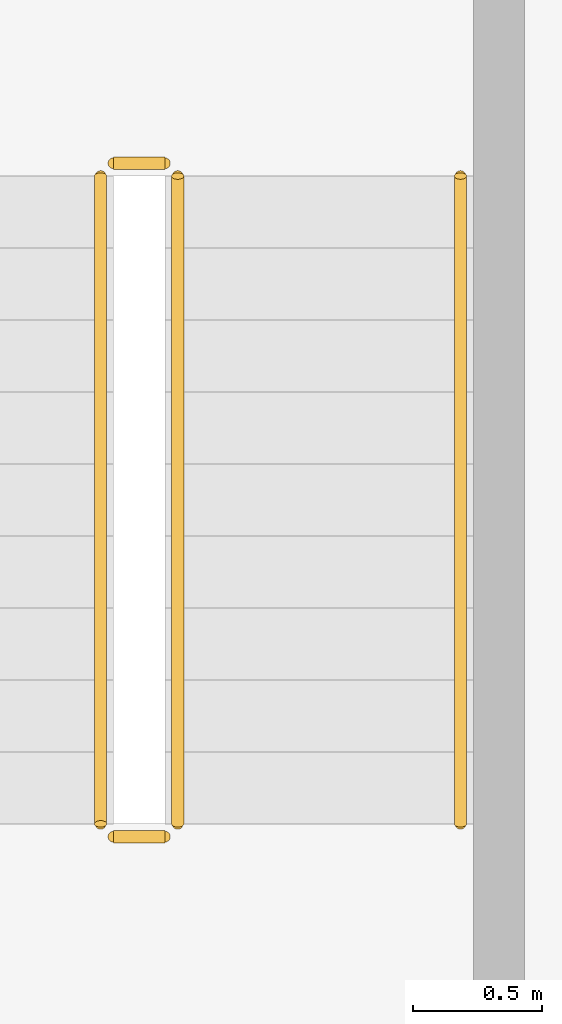
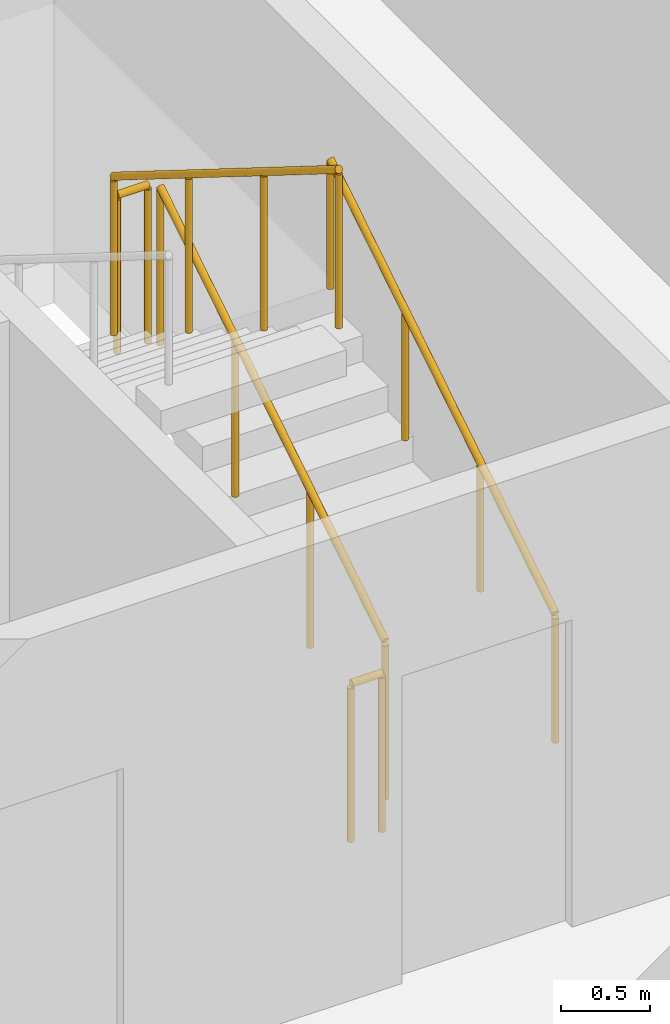
# One storey, part 14 of 18: 5 railings.
"""IFC4 building model written with IfcOpenShell, lengths in metres."""

from ifc_helpers import new_model, si_unit, direction, frame, origin, origin_2d, place, context, subcontext, project, spatial, circle, extrude, material, type_object, element, save


model = new_model("IFC4")

# Units and contexts
model_context = context("Model", 3, precision=1e-05, world=origin(), true_north=direction((0.0, 1.0)))
body_context = subcontext(model_context, "Body", "Model", "MODEL_VIEW")
ifc_project = project(units=[si_unit("LENGTHUNIT", "METRE"), si_unit("AREAUNIT", "SQUARE_METRE"), si_unit("VOLUMEUNIT", "CUBIC_METRE"), si_unit("PLANEANGLEUNIT", "RADIAN"), si_unit("MASSUNIT", "GRAM", prefix="KILO")], contexts=[model_context])

# Site, building, storey
site_placement = place(None, origin())
site = spatial("IfcSite", under=ifc_project, at=site_placement, CompositionType="ELEMENT")
building_placement = place(site_placement, origin())
building = spatial("IfcBuilding", under=site, at=building_placement, Name="Kiln Ring Residences", CompositionType="ELEMENT")
storey_placement = place(building_placement, frame((0.0, 0.0, 136.10009765625)))
storey = spatial("IfcBuildingStorey", under=building, at=storey_placement, Name="L34", CompositionType="ELEMENT", Elevation=136.10009765625)

# Railings
ifc_material_1 = material(Name="Stainless steel", Category="steel")
railing_type_1 = type_object("IfcRailingType", Name="CORE-STAIR-GUARD", PredefinedType="GUARDRAIL", material=ifc_material_1)
railing_1_placement = place(storey_placement, frame((22.25, -8.39990234375, 0.1748046875)))
element("IfcRailing", 1, at=railing_1_placement, inside=storey, type_object=railing_type_1, Name="L34 E-STS stair guard 1", PredefinedType="GUARDRAIL", context=body_context, shape_type="SweptSolid", body=[
    extrude(circle(Radius=0.02392578125, at=origin_2d()), frame((0.0, 0.0, 1.076171875), z_axis=(0.0, 0.847970611238, 0.530043245855), x_axis=(-1.0, 0.0, 0.0)), (0.0, 0.0, 1.0), 2.971923828125),
    extrude(circle(Radius=0.02099609375, at=origin_2d()), origin(), (0.0, 0.0, 1.0), 1.052001953125),
    extrude(circle(Radius=0.02099609375, at=origin_2d()), frame((0.0, 0.840087890625, 0.525146484375)), (0.0, 0.0, 1.0), 1.052001953125),
    extrude(circle(Radius=0.02099609375, at=origin_2d()), frame((0.0, 1.679931640625, 1.050048828125)), (0.0, 0.0, 1.0), 1.052001953125),
    extrude(circle(Radius=0.02099609375, at=origin_2d()), frame((0.0, 2.52001953125, 1.5751953125)), (0.0, 0.0, 1.0), 1.052001953125),
])
railing_2_placement = place(storey_placement, frame((22.199951171875, -5.830078125, 1.75)))
element("IfcRailing", 2, at=railing_2_placement, inside=storey, type_object=railing_type_1, Name="L34 E-STS stair guard 2", PredefinedType="GUARDRAIL", context=body_context, shape_type="SweptSolid", body=[
    extrude(circle(Radius=0.02392578125, at=origin_2d()), frame((0.0, 0.0, 1.076171875), z_axis=(-1.0, 0.0, 0.0), x_axis=(0.0, -1.0, 0.0)), (0.0, 0.0, 1.0), 0.199951171875),
    extrude(circle(Radius=0.02099609375, at=origin_2d()), origin(), (0.0, 0.0, 1.0), 1.052001953125),
    extrude(circle(Radius=0.02099609375, at=origin_2d()), frame((-0.199951171875, 0.0, 0.0)), (0.0, 0.0, 1.0), 1.052001953125),
])
railing_3_placement = place(storey_placement, frame((21.949951171875, -5.8798828125, 1.9248046875)))
element("IfcRailing", 3, at=railing_3_placement, inside=storey, type_object=railing_type_1, Name="L34 E-STS stair guard 3", PredefinedType="GUARDRAIL", context=body_context, shape_type="SweptSolid", body=[
    extrude(circle(Radius=0.02392578125, at=origin_2d()), frame((0.0, 0.0, 1.076171875), z_axis=(0.0, -0.847970611238, 0.530043245855), x_axis=(1.0, 0.0, 0.0)), (0.0, 0.0, 1.0), 2.971923828125),
    extrude(circle(Radius=0.02099609375, at=origin_2d()), origin(), (0.0, 0.0, 1.0), 1.052001953125),
    extrude(circle(Radius=0.02099609375, at=origin_2d()), frame((0.0, -0.840087890625, 0.525146484375)), (0.0, 0.0, 1.0), 1.052001953125),
    extrude(circle(Radius=0.02099609375, at=origin_2d()), frame((0.0, -1.679931640625, 1.050048828125)), (0.0, 0.0, 1.0), 1.052001953125),
    extrude(circle(Radius=0.02099609375, at=origin_2d()), frame((0.0, -2.52001953125, 1.5751953125)), (0.0, 0.0, 1.0), 1.052001953125),
])
railing_4_placement = place(storey_placement, frame((22.199951171875, -8.449951171875, 0.0)))
element("IfcRailing", 4, at=railing_4_placement, inside=storey, type_object=railing_type_1, Name="L34 E-STS stair guard 4", PredefinedType="GUARDRAIL", context=body_context, shape_type="SweptSolid", body=[
    extrude(circle(Radius=0.02392578125, at=origin_2d()), frame((0.0, 0.0, 1.076171875), z_axis=(-1.0, 0.0, 0.0), x_axis=(0.0, -1.0, 0.0)), (0.0, 0.0, 1.0), 0.199951171875),
    extrude(circle(Radius=0.02099609375, at=origin_2d()), origin(), (0.0, 0.0, 1.0), 1.052001953125),
    extrude(circle(Radius=0.02099609375, at=origin_2d()), frame((-0.199951171875, 0.0, 0.0)), (0.0, 0.0, 1.0), 1.052001953125),
])
ifc_material_2 = material(Name="Stainless steel", Category="steel")
railing_type_2 = type_object("IfcRailingType", Name="CORE-STAIR-HANDRAIL", PredefinedType="HANDRAIL", material=ifc_material_2)
railing_5_placement = place(storey_placement, frame((23.35009765625, -8.39990234375, 0.1748046875)))
element("IfcRailing", 5, at=railing_5_placement, inside=storey, type_object=railing_type_2, Name="L34 E-STS stair handrail 1", PredefinedType="HANDRAIL", context=body_context, shape_type="SweptSolid", body=[
    extrude(circle(Radius=0.02392578125, at=origin_2d()), frame((0.0, 0.0, 0.8759765625), z_axis=(0.0, 0.847970611238, 0.530043245855), x_axis=(-1.0, 0.0, 0.0)), (0.0, 0.0, 1.0), 2.971923828125),
    extrude(circle(Radius=0.02099609375, at=origin_2d()), origin(), (0.0, 0.0, 1.0), 0.851806640625),
    extrude(circle(Radius=0.02099609375, at=origin_2d()), frame((0.0, 0.840087890625, 0.525146484375)), (0.0, 0.0, 1.0), 0.851806640625),
    extrude(circle(Radius=0.02099609375, at=origin_2d()), frame((0.0, 1.679931640625, 1.050048828125)), (0.0, 0.0, 1.0), 0.851806640625),
    extrude(circle(Radius=0.02099609375, at=origin_2d()), frame((0.0, 2.52001953125, 1.5751953125)), (0.0, 0.0, 1.0), 0.851806640625),
])

save(model, "model.ifc")
